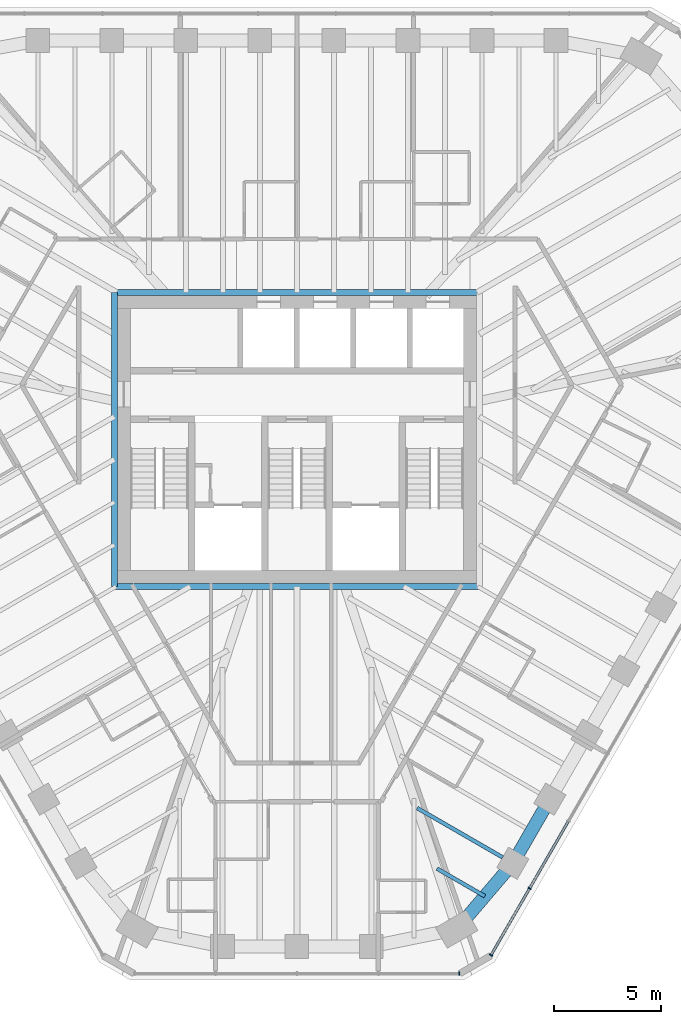
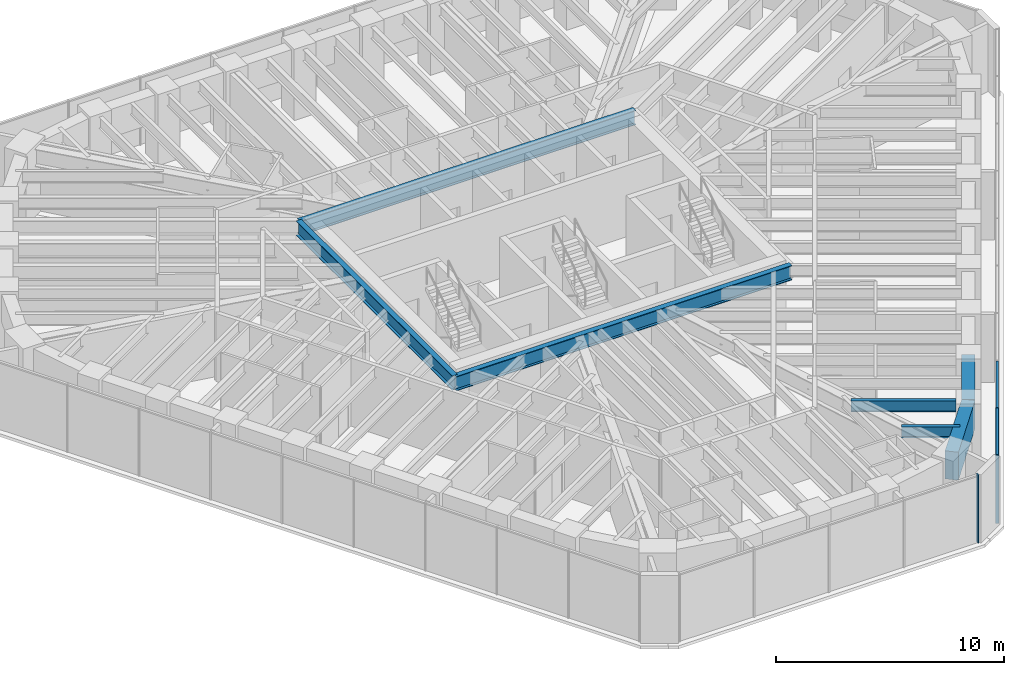
# One storey, part 4 of 14: 7 beams, 5 members, 2 elements without a shape of their own.
"""IFC4 building model written with IfcOpenShell, lengths in metres."""

from ifc_helpers import new_model, si_unit, direction, frame, origin, origin_2d, place, context, subcontext, project, spatial, rectangle, i_section, extrude, material, material_profile, profile_set, type_object, element, aggregate, save


model = new_model("IFC4")

# Units and contexts
model_context = context("Model", 3, precision=1e-05, world=origin(), true_north=direction((0.0, 1.0)))
body_context = subcontext(model_context, "Body", "Model", "MODEL_VIEW")
ifc_project = project(units=[si_unit("LENGTHUNIT", "METRE"), si_unit("AREAUNIT", "SQUARE_METRE"), si_unit("VOLUMEUNIT", "CUBIC_METRE"), si_unit("PLANEANGLEUNIT", "RADIAN"), si_unit("MASSUNIT", "GRAM", prefix="KILO")], contexts=[model_context])

# Site, building, storey
site_placement = place(None, origin())
site = spatial("IfcSite", under=ifc_project, at=site_placement, CompositionType="ELEMENT")
building_placement = place(site_placement, origin())
building = spatial("IfcBuilding", under=site, at=building_placement, Name="Sandreach Pilgrim Tower", CompositionType="ELEMENT")
storey_placement = place(building_placement, frame((0.0, 0.0, 291.199951171875)))
storey = spatial("IfcBuildingStorey", under=building, at=storey_placement, Name="L73", CompositionType="ELEMENT", Elevation=291.199951171875)

# Curtain wall, members
ifc_material_1 = material(Name="Aluminium framed curtain wall", Category="aluminium")
curtain_wall_type = type_object("IfcCurtainWallType", Name="Suite tower curtain wall", PredefinedType="NOTDEFINED", material=ifc_material_1)
curtain_wall_1_placement = place(storey_placement, origin())
curtain_wall_1 = element("IfcCurtainWall", 1, at=curtain_wall_1_placement, inside=storey, type_object=curtain_wall_type, Name="CW-4 L73 SE", PredefinedType="NOTDEFINED")
ifc_material_2 = material(Name="Aluminium extrusion", Category="aluminium")
ifc_material_profile_1 = material_profile(ifc_material_2, rectangle(XDim=0.06005859375, YDim=0.159912109375, at=origin_2d()), Name="CW-4M 60X160")
ifc_profile_set_1 = profile_set([ifc_material_profile_1], Name="Aluminium extrusion")
member_type_1 = type_object("IfcMemberType", Name="CW-4 mullion", PredefinedType="MULLION", material=ifc_profile_set_1)
member_1_placement = place(storey_placement, frame((10.83203125, -20.891357421875, 0.0), z_axis=(0.0, 0.0, 1.0), x_axis=(-0.5, -0.866025403784, 0.0)))
member_1 = element("IfcMember", 2, at=member_1_placement, type_object=member_type_1, Name="CW-4 mullion 9", PredefinedType="MULLION", context=body_context, shape_type="SweptSolid", body=[
    extrude(rectangle(XDim=0.06005859375, YDim=0.159912109375, at=origin_2d()), origin(), (0.0, 0.0, 1.0), 3.64013671875),
])
member_2_placement = place(storey_placement, frame((9.035888671875, -24.001953125, 0.0), z_axis=(0.0, 0.0, 1.0), x_axis=(-0.5, -0.866025403784, 0.0)))
member_2 = element("IfcMember", 3, at=member_2_placement, type_object=member_type_1, Name="CW-4 mullion 10", PredefinedType="MULLION", context=body_context, shape_type="SweptSolid", body=[
    extrude(rectangle(XDim=0.06005859375, YDim=0.159912109375, at=origin_2d()), origin(), (0.0, 0.0, 1.0), 3.64013671875),
])

# Curtain wall, member
curtain_wall_2_placement = place(storey_placement, origin())
curtain_wall_2 = element("IfcCurtainWall", 4, at=curtain_wall_2_placement, inside=storey, type_object=curtain_wall_type, Name="CW-4 L73 S", PredefinedType="NOTDEFINED")
member_3_placement = place(storey_placement, frame((7.553466796875, -24.858154296875, 0.0), z_axis=(0.0, 0.0, 1.0), x_axis=(-1.0, 0.0, 0.0)))
member_3 = element("IfcMember", 5, at=member_3_placement, type_object=member_type_1, Name="CW-4 mullion 1", PredefinedType="MULLION", context=body_context, shape_type="SweptSolid", body=[
    extrude(rectangle(XDim=0.06005859375, YDim=0.159912109375, at=origin_2d()), origin(), (0.0, 0.0, 1.0), 3.64013671875),
])
aggregate(curtain_wall_2, [member_3])

# Member
ifc_material_3 = material(Name="Aluminium extrusion", Category="aluminium")
ifc_material_profile_2 = material_profile(ifc_material_3, rectangle(XDim=0.1201171875, YDim=0.070068359375, at=origin_2d()), Name="CW-4T 120X70")
ifc_profile_set_2 = profile_set([ifc_material_profile_2], Name="Aluminium extrusion")
member_type_2 = type_object("IfcMemberType", Name="CW-4 transom", PredefinedType="USERDEFINED", material=ifc_profile_set_2)
member_4_placement = place(storey_placement, frame((12.6279296875, -17.78076171875, 3.60498046875), z_axis=(-0.500009219579, -0.866020080793, 0.0), x_axis=(0.866020080793, -0.500009219579, 0.0)))
member_4 = element("IfcMember", 6, at=member_4_placement, type_object=member_type_2, Name="CW-4 head transom 8", ObjectType="TRANSOM", PredefinedType="USERDEFINED", context=body_context, shape_type="SweptSolid", body=[
    extrude(rectangle(XDim=0.1201171875, YDim=0.070068359375, at=origin_2d()), origin(), (0.0, 0.0, 1.0), 3.56201171875),
])

member_5_placement = place(storey_placement, frame((10.81689453125, -20.91748046875, 3.60498046875), z_axis=(-0.499997709859, -0.866026725994, 0.0), x_axis=(0.866026725994, -0.499997709859, 0.0)))
member_5 = element("IfcMember", 7, at=member_5_placement, type_object=member_type_2, Name="CW-4 head transom 9", ObjectType="TRANSOM", PredefinedType="USERDEFINED", context=body_context, shape_type="SweptSolid", body=[
    extrude(rectangle(XDim=0.1201171875, YDim=0.070068359375, at=origin_2d()), origin(), (0.0, 0.0, 1.0), 3.53173828125),
])

aggregate(curtain_wall_1, [member_1, member_2, member_4, member_5])

# Beams
ifc_material_4 = material(Name="Steel ASTM A992 Grade 50", Category="steel")
ifc_material_profile_3 = material_profile(ifc_material_4, i_section(OverallWidth=0.2666015625, OverallDepth=0.77978515625, WebThickness=0.0166015625, FlangeThickness=0.030029296875, at=origin_2d()), Name="W30X148")
ifc_profile_set_3 = profile_set([ifc_material_profile_3], Name="Steel ASTM A992 Grade 50")
beam_type_1 = type_object("IfcBeamType", Name="Core edge beam W30X148", PredefinedType="BEAM", material=ifc_profile_set_3)
for number, where, z_axis, x_axis, name in (
    (8, (-8.493408203125, 6.84326171875, 3.250244140625), (1.0, 0.0, 0.0), (0.0, 1.0, 0.0), "BM L73 CEN"),
    (9, (8.493408203125, -6.84326171875, 3.250244140625), (-1.0, 0.0, 0.0), (0.0, -1.0, 0.0), "BM L73 CES"),
):
    element("IfcBeam", number, at=place(storey_placement, frame(where, z_axis=z_axis, x_axis=x_axis)), inside=storey, type_object=beam_type_1, Name=name, PredefinedType="BEAM", context=body_context, shape_type="SweptSolid", body=[
        extrude(i_section(OverallWidth=0.2666015625, OverallDepth=0.77978515625, WebThickness=0.0166015625, FlangeThickness=0.030029296875, at=origin_2d()), origin(), (0.0, 0.0, 1.0), 16.98681640625),
    ])
beam_1_placement = place(storey_placement, frame((-8.493408203125, -6.84326171875, 3.250244140625), z_axis=(0.0, 1.0, 0.0), x_axis=(-1.0, 0.0, 0.0)))
element("IfcBeam", 10, at=beam_1_placement, inside=storey, type_object=beam_type_1, Name="BM L73 CEW", PredefinedType="BEAM", context=body_context, shape_type="SweptSolid", body=[
    extrude(i_section(OverallWidth=0.2666015625, OverallDepth=0.77978515625, WebThickness=0.0166015625, FlangeThickness=0.030029296875, at=origin_2d()), origin(), (0.0, 0.0, 1.0), 13.6865234375),
])
ifc_material_5 = material(Name="Steel ASTM A992 Grade 50", Category="steel")
ifc_material_profile_4 = material_profile(ifc_material_5, i_section(OverallWidth=0.1787109375, OverallDepth=0.60205078125, WebThickness=0.010986328125, FlangeThickness=0.014892578125, at=origin_2d()), Name="W24X62")
ifc_profile_set_4 = profile_set([ifc_material_profile_4], Name="Steel ASTM A992 Grade 50")
beam_type_2 = type_object("IfcBeamType", Name="Floor beam W24X62", PredefinedType="BEAM", material=ifc_profile_set_4)
beam_2_placement = place(storey_placement, frame((9.573974609375, -19.450439453125, 3.339111328125), z_axis=(-0.866024320471, 0.50000187635, 0.0), x_axis=(-0.50000187635, -0.866024320471, 0.0)))
element("IfcBeam", 11, at=beam_2_placement, inside=storey, type_object=beam_type_2, Name="BM L73 F21", PredefinedType="BEAM", context=body_context, shape_type="SweptSolid", body=[
    extrude(i_section(OverallWidth=0.1787109375, OverallDepth=0.60205078125, WebThickness=0.010986328125, FlangeThickness=0.014892578125, at=origin_2d()), origin(), (0.0, 0.0, 1.0), 4.58837890625),
])
beam_3_placement = place(storey_placement, frame((8.74462890625, -21.25732421875, 3.339111328125), z_axis=(-0.866041575714, 0.49997198835, 0.0), x_axis=(-0.49997198835, -0.866041575714, 0.0)))
element("IfcBeam", 12, at=beam_3_placement, inside=storey, type_object=beam_type_2, Name="BM L73 FM21", PredefinedType="BEAM", context=body_context, shape_type="SweptSolid", body=[
    extrude(i_section(OverallWidth=0.1787109375, OverallDepth=0.60205078125, WebThickness=0.010986328125, FlangeThickness=0.014892578125, at=origin_2d()), origin(), (0.0, 0.0, 1.0), 2.569091796875),
])
ifc_material_6 = material(Name="Concrete 10000 psi", Category="concrete")
ifc_material_profile_5 = material_profile(ifc_material_6, rectangle(XDim=0.60009765625, YDim=1.5, at=origin_2d()), Name="RC600X1500")
ifc_profile_set_5 = profile_set([ifc_material_profile_5], Name="Concrete 10000 psi")
beam_type_3 = type_object("IfcBeamType", Name="Spandrel beam RC600X1500", PredefinedType="SPANDREL", material=ifc_profile_set_5)
beam_4_placement = place(storey_placement, frame((11.772705078125, -16.741943359375, 2.89013671875), z_axis=(-0.499988291006, -0.866032163869, 0.0), x_axis=(0.866032163869, -0.499988291006, 0.0)))
element("IfcBeam", 13, at=beam_4_placement, inside=storey, type_object=beam_type_3, Name="BM L73 SP20", PredefinedType="SPANDREL", context=body_context, shape_type="SweptSolid", body=[
    extrude(rectangle(XDim=0.60009765625, YDim=1.5, at=origin_2d()), origin(), (0.0, 0.0, 1.0), 3.44482421875),
])
beam_5_placement = place(storey_placement, frame((10.05029296875, -19.725341796875, 2.89013671875), z_axis=(-0.648586192707, -0.761141215958, 0.0), x_axis=(0.761141215958, -0.648586192707, 0.0)))
element("IfcBeam", 14, at=beam_5_placement, inside=storey, type_object=beam_type_3, Name="BM L73 SP21", PredefinedType="SPANDREL", context=body_context, shape_type="SweptSolid", body=[
    extrude(rectangle(XDim=0.60009765625, YDim=1.5, at=origin_2d()), origin(), (0.0, 0.0, 1.0), 4.02587890625),
])

save(model, "model.ifc")
